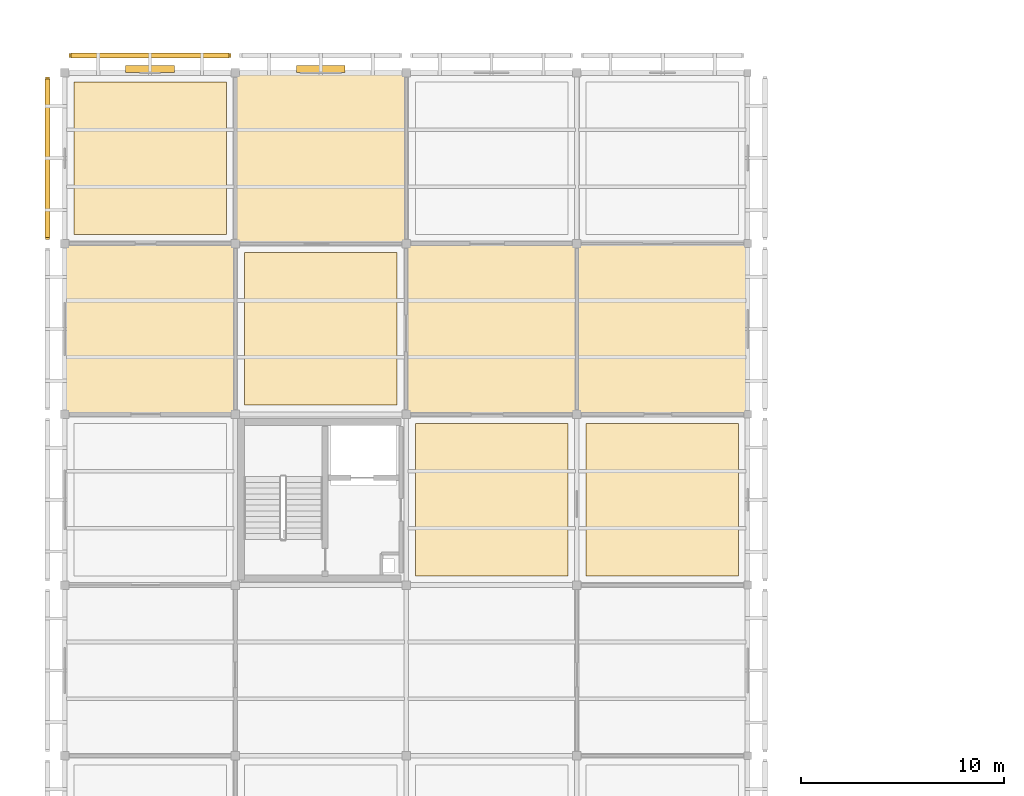
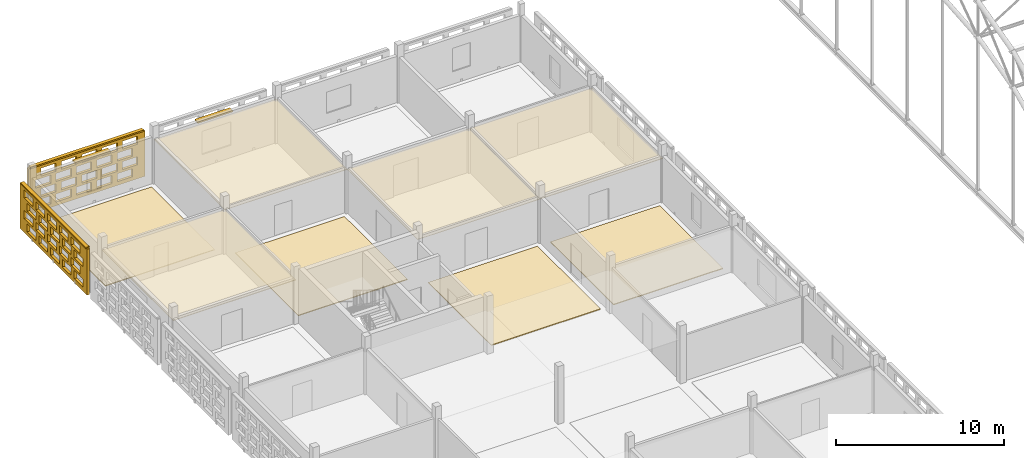
# One storey, part 93 of 103: 10 coverings, 4 shading devices, 40 openings.
"""IFC4 building model written with IfcOpenShell, lengths in metres."""

from ifc_helpers import new_model, si_unit, direction, frame, frame_2d, origin, origin_2d, place, context, subcontext, project, spatial, rectangle, extrude, material, layer, layer_set, type_object, element, save


model = new_model("IFC4")

# Units and contexts
model_context = context("Model", 3, precision=1e-05, world=origin(), true_north=direction((0.0, 1.0)))
body_context = subcontext(model_context, "Body", "Model", "MODEL_VIEW")
ifc_project = project(units=[si_unit("LENGTHUNIT", "METRE"), si_unit("AREAUNIT", "SQUARE_METRE"), si_unit("VOLUMEUNIT", "CUBIC_METRE"), si_unit("PLANEANGLEUNIT", "RADIAN"), si_unit("MASSUNIT", "GRAM", prefix="KILO")], contexts=[model_context])

# Site, building, storey
site_placement = place(None, origin())
site = spatial("IfcSite", under=ifc_project, at=site_placement, CompositionType="ELEMENT")
building_placement = place(site_placement, origin())
building = spatial("IfcBuilding", under=site, at=building_placement, Name="Varnapada Polytechnic", CompositionType="ELEMENT")
storey_placement = place(building_placement, frame((0.0, 0.0, 18.0)))
storey = spatial("IfcBuildingStorey", under=building, at=storey_placement, Name="L04", CompositionType="ELEMENT", Elevation=18.0)

# Coverings
ifc_material_1 = material(Name="Anti-Static Raised Laboratory Flooring")
ifc_layer_1 = layer(ifc_material_1, 0.06005859375)
ifc_layer_set_1 = layer_set([ifc_layer_1], Name="Anti-Static Raised Laboratory Flooring")
covering_type_1 = type_object("IfcCoveringType", Name="Floor Finish FLR-02", PredefinedType="FLOORING", material=ifc_layer_set_1)
for number, where, z_axis, x_axis, name in (
    (1, (21.0, 105.0, 0.0), (0.0, 0.0, 1.0), (1.0, 0.0, 0.0), "L04 floor finish panel (3,13)"),
    (2, (29.39990234375, 105.0, 0.0), (0.0, 0.0, 1.0), (1.0, 0.0, 0.0), "L04 floor finish panel (4,13)"),
):
    element("IfcCovering", number, at=place(storey_placement, frame(where, z_axis=z_axis, x_axis=x_axis)), inside=storey, type_object=covering_type_1, Name=name, PredefinedType="FLOORING", context=body_context, shape_type="SweptSolid", body=[
        extrude(rectangle(XDim=7.5, YDim=7.5, at=origin_2d()), origin(), (0.0, 0.0, 1.0), 0.06005859375),
    ])
ifc_material_2 = material(Name="End-Grain Timber Studio Block Flooring", Category="wood")
ifc_layer_2 = layer(ifc_material_2, 0.054931640625)
ifc_layer_set_2 = layer_set([ifc_layer_2], Name="End-Grain Timber Studio Block Flooring")
covering_type_2 = type_object("IfcCoveringType", Name="Floor Finish FLR-04", PredefinedType="FLOORING", material=ifc_layer_set_2)
for number, where, z_axis, x_axis, name in (
    (3, (4.199951171875, 121.800048828125, 0.0), (0.0, 0.0, 1.0), (1.0, 0.0, 0.0), "L04 floor finish panel (1,15)"),
    (4, (12.60009765625, 113.39990234375, 0.0), (0.0, 0.0, 1.0), (1.0, 0.0, 0.0), "L04 floor finish panel (2,14)"),
):
    element("IfcCovering", number, at=place(storey_placement, frame(where, z_axis=z_axis, x_axis=x_axis)), inside=storey, type_object=covering_type_2, Name=name, PredefinedType="FLOORING", context=body_context, shape_type="SweptSolid", body=[
        extrude(rectangle(XDim=7.5, YDim=7.5, at=origin_2d()), origin(), (0.0, 0.0, 1.0), 0.054931640625),
    ])

# Shading devices
ifc_material_3 = material(Name="Anodised aluminium", Category="aluminium")
ifc_layer_3 = layer(ifc_material_3, 0.35009765625)
ifc_layer_set_3 = layer_set([ifc_layer_3], Name="Anodised aluminium")
shading_device_type_1 = type_object("IfcShadingDeviceType", Name="Solar Louvre LVR-01", PredefinedType="JALOUSIE", material=ifc_layer_set_3)
for number, where, z_axis, x_axis, name in (
    (5, (4.199951171875, 126.179931640625, 3.159912109375), (0.0, 0.0, 1.0), (1.0, 0.0, 0.0), "L04 aluminium sun louvre 10"),
    (6, (12.60009765625, 126.179931640625, 3.159912109375), (0.0, 0.0, 1.0), (1.0, 0.0, 0.0), "L04 aluminium sun louvre 13"),
):
    element("IfcShadingDevice", number, at=place(storey_placement, frame(where, z_axis=z_axis, x_axis=x_axis)), inside=storey, type_object=shading_device_type_1, Name=name, PredefinedType="JALOUSIE", context=body_context, shape_type="SweptSolid", body=[
        extrude(rectangle(XDim=2.39990234375, YDim=0.340087890625, at=origin_2d()), origin(), (0.0, 0.0, 1.0), 0.1201171875),
    ])

# Coverings
ifc_material_4 = material(Name="Perforated Timber Slatted Baffle Ceiling", Category="wood")
ifc_layer_4 = layer(ifc_material_4, 0.050048828125)
ifc_layer_set_4 = layer_set([ifc_layer_4], Name="Perforated Timber Slatted Baffle Ceiling")
covering_type_3 = type_object("IfcCoveringType", Name="Suspended Ceiling CLG-02", PredefinedType="CEILING", material=ifc_layer_set_4)
covering_1_placement = place(storey_placement, frame((4.199951171875, 113.39990234375, 3.02490234375), z_axis=(0.0, 0.0, 1.0), x_axis=(1.0, 0.0, 0.0)))
element("IfcCovering", 7, at=covering_1_placement, inside=storey, type_object=covering_type_3, Name="L04 suspended acoustic ceiling (1,14)", PredefinedType="CEILING", context=body_context, shape_type="SweptSolid", body=[
    extrude(rectangle(XDim=8.419921875, YDim=8.419921875, at=origin_2d()), origin(), (0.0, 0.0, 1.0), 0.050048828125),
])
ifc_material_5 = material(Name="Moisture-Resistant Aluminum Baffle Ceiling", Category="aluminium")
ifc_layer_5 = layer(ifc_material_5, 0.030029296875)
ifc_layer_set_5 = layer_set([ifc_layer_5], Name="Moisture-Resistant Aluminum Baffle Ceiling")
covering_type_4 = type_object("IfcCoveringType", Name="Suspended Ceiling CLG-03", PredefinedType="CEILING", material=ifc_layer_set_5)
covering_2_placement = place(storey_placement, frame((12.60009765625, 121.800048828125, 3.03515625), z_axis=(0.0, 0.0, 1.0), x_axis=(1.0, 0.0, 0.0)))
element("IfcCovering", 8, at=covering_2_placement, inside=storey, type_object=covering_type_4, Name="L04 suspended acoustic ceiling (2,15)", PredefinedType="CEILING", context=body_context, shape_type="SweptSolid", body=[
    extrude(rectangle(XDim=8.419921875, YDim=8.419921875, at=origin_2d()), origin(), (0.0, 0.0, 1.0), 0.030029296875),
])
ifc_material_6 = material(Name="Micro-Perforated Gypsum Acoustic Ceiling")
ifc_layer_6 = layer(ifc_material_6, 0.044921875)
ifc_layer_set_6 = layer_set([ifc_layer_6], Name="Micro-Perforated Gypsum Acoustic Ceiling")
covering_type_5 = type_object("IfcCoveringType", Name="Suspended Ceiling CLG-04", PredefinedType="CEILING", material=ifc_layer_set_6)
covering_3_placement = place(storey_placement, frame((29.39990234375, 113.39990234375, 3.027587890625), z_axis=(0.0, 0.0, 1.0), x_axis=(1.0, 0.0, 0.0)))
element("IfcCovering", 9, at=covering_3_placement, inside=storey, type_object=covering_type_5, Name="L04 suspended acoustic ceiling (4,14)", PredefinedType="CEILING", context=body_context, shape_type="SweptSolid", body=[
    extrude(rectangle(XDim=8.419921875, YDim=8.419921875, at=origin_2d()), origin(), (0.0, 0.0, 1.0), 0.044921875),
])
ifc_material_7 = material(Name="Cleanroom Laboratory Metal Pan Ceiling")
ifc_layer_7 = layer(ifc_material_7, 0.034912109375)
ifc_layer_set_7 = layer_set([ifc_layer_7], Name="Cleanroom Laboratory Metal Pan Ceiling")
covering_type_6 = type_object("IfcCoveringType", Name="Suspended Ceiling CLG-06", PredefinedType="CEILING", material=ifc_layer_set_7)
covering_4_placement = place(storey_placement, frame((21.0, 113.39990234375, 3.03271484375), z_axis=(0.0, 0.0, 1.0), x_axis=(1.0, 0.0, 0.0)))
element("IfcCovering", 10, at=covering_4_placement, inside=storey, type_object=covering_type_6, Name="L04 suspended acoustic ceiling (3,14)", PredefinedType="CEILING", context=body_context, shape_type="SweptSolid", body=[
    extrude(rectangle(XDim=8.419921875, YDim=8.419921875, at=origin_2d()), origin(), (0.0, 0.0, 1.0), 0.034912109375),
])

# Covering, openings
ifc_material_8 = material(Name="Earth-toned architectural terracotta screen block", Category="masonry")
ifc_layer_8 = layer(ifc_material_8, 0.1201171875)
ifc_layer_set_8 = layer_set([ifc_layer_8], Name="Earth-toned architectural terracotta screen block")
covering_type_7 = type_object("IfcCoveringType", Name="Terracotta Screen Cladding CLD-01", PredefinedType="CLADDING", material=ifc_layer_set_8)
covering_5_placement = place(storey_placement, frame((0.2099609375, 126.85009765625, 0.0), z_axis=(0.0, 0.0, 1.0), x_axis=(1.0, 0.0, 0.0)))
covering_5 = element("IfcCovering", 11, at=covering_5_placement, inside=storey, type_object=covering_type_7, Name="L04 perforated terracotta block screen (10)", PredefinedType="CLADDING", context=body_context, shape_type="SweptSolid", body=[
    extrude(rectangle(XDim=7.97998046875, YDim=0.179931640625, at=frame_2d((3.989990234375, 0.0))), origin(), (0.0, 0.0, 1.0), 3.320068359375),
])
opening_1_placement = place(covering_5_placement, frame((0.489990234375, 0.0, 0.265625)))
element("IfcOpeningElement", 12, at=opening_1_placement, cuts=covering_5, Name="Screen perforation TBS-L04-009.1", PredefinedType="OPENING", context=body_context, shape_type="SweptSolid", body=[
    extrude(rectangle(XDim=1.0400390625, YDim=0.5810546875, at=frame_2d((0.52001953125, 0.29052734375))), frame((0.0, 0.099853515625, 0.0), z_axis=(0.0, -1.0, 0.0), x_axis=(1.0, 0.0, 0.0)), (0.0, 0.0, 1.0), 0.199951171875),
])
opening_2_placement = place(covering_5_placement, frame((1.889892578125, 0.0, 0.265625)))
element("IfcOpeningElement", 13, at=opening_2_placement, cuts=covering_5, Name="Screen perforation TBS-L04-009.2", PredefinedType="OPENING", context=body_context, shape_type="SweptSolid", body=[
    extrude(rectangle(XDim=1.0400390625, YDim=0.5810546875, at=frame_2d((0.52001953125, 0.29052734375))), frame((0.0, 0.099853515625, 0.0), z_axis=(0.0, -1.0, 0.0), x_axis=(1.0, 0.0, 0.0)), (0.0, 0.0, 1.0), 0.199951171875),
])
opening_3_placement = place(covering_5_placement, frame((3.2900390625, 0.0, 0.265625)))
element("IfcOpeningElement", 14, at=opening_3_placement, cuts=covering_5, Name="Screen perforation TBS-L04-009.3", PredefinedType="OPENING", context=body_context, shape_type="SweptSolid", body=[
    extrude(rectangle(XDim=1.0400390625, YDim=0.5810546875, at=frame_2d((0.52001953125, 0.29052734375))), frame((0.0, 0.099853515625, 0.0), z_axis=(0.0, -1.0, 0.0), x_axis=(1.0, 0.0, 0.0)), (0.0, 0.0, 1.0), 0.199951171875),
])
opening_4_placement = place(covering_5_placement, frame((4.68994140625, 0.0, 0.265625)))
element("IfcOpeningElement", 15, at=opening_4_placement, cuts=covering_5, Name="Screen perforation TBS-L04-009.4", PredefinedType="OPENING", context=body_context, shape_type="SweptSolid", body=[
    extrude(rectangle(XDim=1.0400390625, YDim=0.5810546875, at=frame_2d((0.52001953125, 0.29052734375))), frame((0.0, 0.099853515625, 0.0), z_axis=(0.0, -1.0, 0.0), x_axis=(1.0, 0.0, 0.0)), (0.0, 0.0, 1.0), 0.199951171875),
])
opening_5_placement = place(covering_5_placement, frame((6.090087890625, 0.0, 0.265625)))
element("IfcOpeningElement", 16, at=opening_5_placement, cuts=covering_5, Name="Screen perforation TBS-L04-009.5", PredefinedType="OPENING", context=body_context, shape_type="SweptSolid", body=[
    extrude(rectangle(XDim=1.0400390625, YDim=0.5810546875, at=frame_2d((0.52001953125, 0.29052734375))), frame((0.0, 0.099853515625, 0.0), z_axis=(0.0, -1.0, 0.0), x_axis=(1.0, 0.0, 0.0)), (0.0, 0.0, 1.0), 0.199951171875),
])
opening_6_placement = place(covering_5_placement, frame((0.85009765625, 0.0, 1.0126953125)))
element("IfcOpeningElement", 17, at=opening_6_placement, cuts=covering_5, Name="Screen perforation TBS-L04-009.6", PredefinedType="OPENING", context=body_context, shape_type="SweptSolid", body=[
    extrude(rectangle(XDim=1.0400390625, YDim=0.5810546875, at=frame_2d((0.52001953125, 0.29052734375))), frame((0.0, 0.099853515625, 0.0), z_axis=(0.0, -1.0, 0.0), x_axis=(1.0, 0.0, 0.0)), (0.0, 0.0, 1.0), 0.199951171875),
])
opening_7_placement = place(covering_5_placement, frame((2.25, 0.0, 1.0126953125)))
element("IfcOpeningElement", 18, at=opening_7_placement, cuts=covering_5, Name="Screen perforation TBS-L04-009.7", PredefinedType="OPENING", context=body_context, shape_type="SweptSolid", body=[
    extrude(rectangle(XDim=1.0400390625, YDim=0.5810546875, at=frame_2d((0.52001953125, 0.29052734375))), frame((0.0, 0.099853515625, 0.0), z_axis=(0.0, -1.0, 0.0), x_axis=(1.0, 0.0, 0.0)), (0.0, 0.0, 1.0), 0.199951171875),
])
opening_8_placement = place(covering_5_placement, frame((3.64990234375, 0.0, 1.0126953125)))
element("IfcOpeningElement", 19, at=opening_8_placement, cuts=covering_5, Name="Screen perforation TBS-L04-009.8", PredefinedType="OPENING", context=body_context, shape_type="SweptSolid", body=[
    extrude(rectangle(XDim=1.0400390625, YDim=0.5810546875, at=frame_2d((0.52001953125, 0.29052734375))), frame((0.0, 0.099853515625, 0.0), z_axis=(0.0, -1.0, 0.0), x_axis=(1.0, 0.0, 0.0)), (0.0, 0.0, 1.0), 0.199951171875),
])
opening_9_placement = place(covering_5_placement, frame((5.050048828125, 0.0, 1.0126953125)))
element("IfcOpeningElement", 20, at=opening_9_placement, cuts=covering_5, Name="Screen perforation TBS-L04-009.9", PredefinedType="OPENING", context=body_context, shape_type="SweptSolid", body=[
    extrude(rectangle(XDim=1.0400390625, YDim=0.5810546875, at=frame_2d((0.52001953125, 0.29052734375))), frame((0.0, 0.099853515625, 0.0), z_axis=(0.0, -1.0, 0.0), x_axis=(1.0, 0.0, 0.0)), (0.0, 0.0, 1.0), 0.199951171875),
])
opening_10_placement = place(covering_5_placement, frame((6.449951171875, 0.0, 1.0126953125)))
element("IfcOpeningElement", 21, at=opening_10_placement, cuts=covering_5, Name="Screen perforation TBS-L04-009.10", PredefinedType="OPENING", context=body_context, shape_type="SweptSolid", body=[
    extrude(rectangle(XDim=1.0400390625, YDim=0.5810546875, at=frame_2d((0.52001953125, 0.29052734375))), frame((0.0, 0.099853515625, 0.0), z_axis=(0.0, -1.0, 0.0), x_axis=(1.0, 0.0, 0.0)), (0.0, 0.0, 1.0), 0.199951171875),
])
opening_11_placement = place(covering_5_placement, frame((0.489990234375, 0.0, 1.759521484375)))
element("IfcOpeningElement", 22, at=opening_11_placement, cuts=covering_5, Name="Screen perforation TBS-L04-009.11", PredefinedType="OPENING", context=body_context, shape_type="SweptSolid", body=[
    extrude(rectangle(XDim=1.0400390625, YDim=0.5810546875, at=frame_2d((0.52001953125, 0.29052734375))), frame((0.0, 0.099853515625, 0.0), z_axis=(0.0, -1.0, 0.0), x_axis=(1.0, 0.0, 0.0)), (0.0, 0.0, 1.0), 0.199951171875),
])
opening_12_placement = place(covering_5_placement, frame((1.889892578125, 0.0, 1.759521484375)))
element("IfcOpeningElement", 23, at=opening_12_placement, cuts=covering_5, Name="Screen perforation TBS-L04-009.12", PredefinedType="OPENING", context=body_context, shape_type="SweptSolid", body=[
    extrude(rectangle(XDim=1.0400390625, YDim=0.5810546875, at=frame_2d((0.52001953125, 0.29052734375))), frame((0.0, 0.099853515625, 0.0), z_axis=(0.0, -1.0, 0.0), x_axis=(1.0, 0.0, 0.0)), (0.0, 0.0, 1.0), 0.199951171875),
])
opening_13_placement = place(covering_5_placement, frame((3.2900390625, 0.0, 1.759521484375)))
element("IfcOpeningElement", 24, at=opening_13_placement, cuts=covering_5, Name="Screen perforation TBS-L04-009.13", PredefinedType="OPENING", context=body_context, shape_type="SweptSolid", body=[
    extrude(rectangle(XDim=1.0400390625, YDim=0.5810546875, at=frame_2d((0.52001953125, 0.29052734375))), frame((0.0, 0.099853515625, 0.0), z_axis=(0.0, -1.0, 0.0), x_axis=(1.0, 0.0, 0.0)), (0.0, 0.0, 1.0), 0.199951171875),
])
opening_14_placement = place(covering_5_placement, frame((4.68994140625, 0.0, 1.759521484375)))
element("IfcOpeningElement", 25, at=opening_14_placement, cuts=covering_5, Name="Screen perforation TBS-L04-009.14", PredefinedType="OPENING", context=body_context, shape_type="SweptSolid", body=[
    extrude(rectangle(XDim=1.0400390625, YDim=0.5810546875, at=frame_2d((0.52001953125, 0.29052734375))), frame((0.0, 0.099853515625, 0.0), z_axis=(0.0, -1.0, 0.0), x_axis=(1.0, 0.0, 0.0)), (0.0, 0.0, 1.0), 0.199951171875),
])
opening_15_placement = place(covering_5_placement, frame((6.090087890625, 0.0, 1.759521484375)))
element("IfcOpeningElement", 26, at=opening_15_placement, cuts=covering_5, Name="Screen perforation TBS-L04-009.15", PredefinedType="OPENING", context=body_context, shape_type="SweptSolid", body=[
    extrude(rectangle(XDim=1.0400390625, YDim=0.5810546875, at=frame_2d((0.52001953125, 0.29052734375))), frame((0.0, 0.099853515625, 0.0), z_axis=(0.0, -1.0, 0.0), x_axis=(1.0, 0.0, 0.0)), (0.0, 0.0, 1.0), 0.199951171875),
])
opening_16_placement = place(covering_5_placement, frame((0.85009765625, 0.0, 2.506591796875)))
element("IfcOpeningElement", 27, at=opening_16_placement, cuts=covering_5, Name="Screen perforation TBS-L04-009.16", PredefinedType="OPENING", context=body_context, shape_type="SweptSolid", body=[
    extrude(rectangle(XDim=1.0400390625, YDim=0.5810546875, at=frame_2d((0.52001953125, 0.29052734375))), frame((0.0, 0.099853515625, 0.0), z_axis=(0.0, -1.0, 0.0), x_axis=(1.0, 0.0, 0.0)), (0.0, 0.0, 1.0), 0.199951171875),
])
opening_17_placement = place(covering_5_placement, frame((2.25, 0.0, 2.506591796875)))
element("IfcOpeningElement", 28, at=opening_17_placement, cuts=covering_5, Name="Screen perforation TBS-L04-009.17", PredefinedType="OPENING", context=body_context, shape_type="SweptSolid", body=[
    extrude(rectangle(XDim=1.0400390625, YDim=0.5810546875, at=frame_2d((0.52001953125, 0.29052734375))), frame((0.0, 0.099853515625, 0.0), z_axis=(0.0, -1.0, 0.0), x_axis=(1.0, 0.0, 0.0)), (0.0, 0.0, 1.0), 0.199951171875),
])
opening_18_placement = place(covering_5_placement, frame((3.64990234375, 0.0, 2.506591796875)))
element("IfcOpeningElement", 29, at=opening_18_placement, cuts=covering_5, Name="Screen perforation TBS-L04-009.18", PredefinedType="OPENING", context=body_context, shape_type="SweptSolid", body=[
    extrude(rectangle(XDim=1.0400390625, YDim=0.5810546875, at=frame_2d((0.52001953125, 0.29052734375))), frame((0.0, 0.099853515625, 0.0), z_axis=(0.0, -1.0, 0.0), x_axis=(1.0, 0.0, 0.0)), (0.0, 0.0, 1.0), 0.199951171875),
])
opening_19_placement = place(covering_5_placement, frame((5.050048828125, 0.0, 2.506591796875)))
element("IfcOpeningElement", 30, at=opening_19_placement, cuts=covering_5, Name="Screen perforation TBS-L04-009.19", PredefinedType="OPENING", context=body_context, shape_type="SweptSolid", body=[
    extrude(rectangle(XDim=1.0400390625, YDim=0.5810546875, at=frame_2d((0.52001953125, 0.29052734375))), frame((0.0, 0.099853515625, 0.0), z_axis=(0.0, -1.0, 0.0), x_axis=(1.0, 0.0, 0.0)), (0.0, 0.0, 1.0), 0.199951171875),
])
opening_20_placement = place(covering_5_placement, frame((6.449951171875, 0.0, 2.506591796875)))
element("IfcOpeningElement", 31, at=opening_20_placement, cuts=covering_5, Name="Screen perforation TBS-L04-009.20", PredefinedType="OPENING", context=body_context, shape_type="SweptSolid", body=[
    extrude(rectangle(XDim=1.0400390625, YDim=0.5810546875, at=frame_2d((0.52001953125, 0.29052734375))), frame((0.0, 0.099853515625, 0.0), z_axis=(0.0, -1.0, 0.0), x_axis=(1.0, 0.0, 0.0)), (0.0, 0.0, 1.0), 0.199951171875),
])

covering_6_placement = place(storey_placement, frame((-0.85009765625, 117.81005859375, 0.0), z_axis=(0.0, 0.0, 1.0), x_axis=(0.0, 1.0, 0.0)))
covering_6 = element("IfcCovering", 32, at=covering_6_placement, inside=storey, type_object=covering_type_7, Name="L04 perforated terracotta block screen (11)", PredefinedType="CLADDING", context=body_context, shape_type="SweptSolid", body=[
    extrude(rectangle(XDim=7.97998046875, YDim=0.179931640625, at=frame_2d((3.989990234375, 0.0))), origin(), (0.0, 0.0, 1.0), 3.320068359375),
])
opening_21_placement = place(covering_6_placement, frame((0.489990234375, 0.0, 0.265625)))
element("IfcOpeningElement", 33, at=opening_21_placement, cuts=covering_6, Name="Screen perforation TBS-L04-010.1", PredefinedType="OPENING", context=body_context, shape_type="SweptSolid", body=[
    extrude(rectangle(XDim=1.0400390625, YDim=0.5810546875, at=frame_2d((0.52001953125, 0.29052734375))), frame((0.0, 0.099853515625, 0.0), z_axis=(0.0, -1.0, 0.0), x_axis=(1.0, 0.0, 0.0)), (0.0, 0.0, 1.0), 0.199951171875),
])
opening_22_placement = place(covering_6_placement, frame((1.889892578125, 0.0, 0.265625)))
element("IfcOpeningElement", 34, at=opening_22_placement, cuts=covering_6, Name="Screen perforation TBS-L04-010.2", PredefinedType="OPENING", context=body_context, shape_type="SweptSolid", body=[
    extrude(rectangle(XDim=1.0400390625, YDim=0.5810546875, at=frame_2d((0.52001953125, 0.29052734375))), frame((0.0, 0.099853515625, 0.0), z_axis=(0.0, -1.0, 0.0), x_axis=(1.0, 0.0, 0.0)), (0.0, 0.0, 1.0), 0.199951171875),
])
opening_23_placement = place(covering_6_placement, frame((3.2900390625, 0.0, 0.265625)))
element("IfcOpeningElement", 35, at=opening_23_placement, cuts=covering_6, Name="Screen perforation TBS-L04-010.3", PredefinedType="OPENING", context=body_context, shape_type="SweptSolid", body=[
    extrude(rectangle(XDim=1.0400390625, YDim=0.5810546875, at=frame_2d((0.52001953125, 0.29052734375))), frame((0.0, 0.099853515625, 0.0), z_axis=(0.0, -1.0, 0.0), x_axis=(1.0, 0.0, 0.0)), (0.0, 0.0, 1.0), 0.199951171875),
])
opening_24_placement = place(covering_6_placement, frame((4.68994140625, 0.0, 0.265625)))
element("IfcOpeningElement", 36, at=opening_24_placement, cuts=covering_6, Name="Screen perforation TBS-L04-010.4", PredefinedType="OPENING", context=body_context, shape_type="SweptSolid", body=[
    extrude(rectangle(XDim=1.0400390625, YDim=0.5810546875, at=frame_2d((0.52001953125, 0.29052734375))), frame((0.0, 0.099853515625, 0.0), z_axis=(0.0, -1.0, 0.0), x_axis=(1.0, 0.0, 0.0)), (0.0, 0.0, 1.0), 0.199951171875),
])
opening_25_placement = place(covering_6_placement, frame((6.090087890625, 0.0, 0.265625)))
element("IfcOpeningElement", 37, at=opening_25_placement, cuts=covering_6, Name="Screen perforation TBS-L04-010.5", PredefinedType="OPENING", context=body_context, shape_type="SweptSolid", body=[
    extrude(rectangle(XDim=1.0400390625, YDim=0.5810546875, at=frame_2d((0.52001953125, 0.29052734375))), frame((0.0, 0.099853515625, 0.0), z_axis=(0.0, -1.0, 0.0), x_axis=(1.0, 0.0, 0.0)), (0.0, 0.0, 1.0), 0.199951171875),
])
opening_26_placement = place(covering_6_placement, frame((0.85009765625, 0.0, 1.0126953125)))
element("IfcOpeningElement", 38, at=opening_26_placement, cuts=covering_6, Name="Screen perforation TBS-L04-010.6", PredefinedType="OPENING", context=body_context, shape_type="SweptSolid", body=[
    extrude(rectangle(XDim=1.0400390625, YDim=0.5810546875, at=frame_2d((0.52001953125, 0.29052734375))), frame((0.0, 0.099853515625, 0.0), z_axis=(0.0, -1.0, 0.0), x_axis=(1.0, 0.0, 0.0)), (0.0, 0.0, 1.0), 0.199951171875),
])
opening_27_placement = place(covering_6_placement, frame((2.25, 0.0, 1.0126953125)))
element("IfcOpeningElement", 39, at=opening_27_placement, cuts=covering_6, Name="Screen perforation TBS-L04-010.7", PredefinedType="OPENING", context=body_context, shape_type="SweptSolid", body=[
    extrude(rectangle(XDim=1.0400390625, YDim=0.5810546875, at=frame_2d((0.52001953125, 0.29052734375))), frame((0.0, 0.099853515625, 0.0), z_axis=(0.0, -1.0, 0.0), x_axis=(1.0, 0.0, 0.0)), (0.0, 0.0, 1.0), 0.199951171875),
])
opening_28_placement = place(covering_6_placement, frame((3.64990234375, 0.0, 1.0126953125)))
element("IfcOpeningElement", 40, at=opening_28_placement, cuts=covering_6, Name="Screen perforation TBS-L04-010.8", PredefinedType="OPENING", context=body_context, shape_type="SweptSolid", body=[
    extrude(rectangle(XDim=1.0400390625, YDim=0.5810546875, at=frame_2d((0.52001953125, 0.29052734375))), frame((0.0, 0.099853515625, 0.0), z_axis=(0.0, -1.0, 0.0), x_axis=(1.0, 0.0, 0.0)), (0.0, 0.0, 1.0), 0.199951171875),
])
opening_29_placement = place(covering_6_placement, frame((5.050048828125, 0.0, 1.0126953125)))
element("IfcOpeningElement", 41, at=opening_29_placement, cuts=covering_6, Name="Screen perforation TBS-L04-010.9", PredefinedType="OPENING", context=body_context, shape_type="SweptSolid", body=[
    extrude(rectangle(XDim=1.0400390625, YDim=0.5810546875, at=frame_2d((0.52001953125, 0.29052734375))), frame((0.0, 0.099853515625, 0.0), z_axis=(0.0, -1.0, 0.0), x_axis=(1.0, 0.0, 0.0)), (0.0, 0.0, 1.0), 0.199951171875),
])
opening_30_placement = place(covering_6_placement, frame((6.449951171875, 0.0, 1.0126953125)))
element("IfcOpeningElement", 42, at=opening_30_placement, cuts=covering_6, Name="Screen perforation TBS-L04-010.10", PredefinedType="OPENING", context=body_context, shape_type="SweptSolid", body=[
    extrude(rectangle(XDim=1.0400390625, YDim=0.5810546875, at=frame_2d((0.52001953125, 0.29052734375))), frame((0.0, 0.099853515625, 0.0), z_axis=(0.0, -1.0, 0.0), x_axis=(1.0, 0.0, 0.0)), (0.0, 0.0, 1.0), 0.199951171875),
])
opening_31_placement = place(covering_6_placement, frame((0.489990234375, 0.0, 1.759521484375)))
element("IfcOpeningElement", 43, at=opening_31_placement, cuts=covering_6, Name="Screen perforation TBS-L04-010.11", PredefinedType="OPENING", context=body_context, shape_type="SweptSolid", body=[
    extrude(rectangle(XDim=1.0400390625, YDim=0.5810546875, at=frame_2d((0.52001953125, 0.29052734375))), frame((0.0, 0.099853515625, 0.0), z_axis=(0.0, -1.0, 0.0), x_axis=(1.0, 0.0, 0.0)), (0.0, 0.0, 1.0), 0.199951171875),
])
opening_32_placement = place(covering_6_placement, frame((1.889892578125, 0.0, 1.759521484375)))
element("IfcOpeningElement", 44, at=opening_32_placement, cuts=covering_6, Name="Screen perforation TBS-L04-010.12", PredefinedType="OPENING", context=body_context, shape_type="SweptSolid", body=[
    extrude(rectangle(XDim=1.0400390625, YDim=0.5810546875, at=frame_2d((0.52001953125, 0.29052734375))), frame((0.0, 0.099853515625, 0.0), z_axis=(0.0, -1.0, 0.0), x_axis=(1.0, 0.0, 0.0)), (0.0, 0.0, 1.0), 0.199951171875),
])
opening_33_placement = place(covering_6_placement, frame((3.2900390625, 0.0, 1.759521484375)))
element("IfcOpeningElement", 45, at=opening_33_placement, cuts=covering_6, Name="Screen perforation TBS-L04-010.13", PredefinedType="OPENING", context=body_context, shape_type="SweptSolid", body=[
    extrude(rectangle(XDim=1.0400390625, YDim=0.5810546875, at=frame_2d((0.52001953125, 0.29052734375))), frame((0.0, 0.099853515625, 0.0), z_axis=(0.0, -1.0, 0.0), x_axis=(1.0, 0.0, 0.0)), (0.0, 0.0, 1.0), 0.199951171875),
])
opening_34_placement = place(covering_6_placement, frame((4.68994140625, 0.0, 1.759521484375)))
element("IfcOpeningElement", 46, at=opening_34_placement, cuts=covering_6, Name="Screen perforation TBS-L04-010.14", PredefinedType="OPENING", context=body_context, shape_type="SweptSolid", body=[
    extrude(rectangle(XDim=1.0400390625, YDim=0.5810546875, at=frame_2d((0.52001953125, 0.29052734375))), frame((0.0, 0.099853515625, 0.0), z_axis=(0.0, -1.0, 0.0), x_axis=(1.0, 0.0, 0.0)), (0.0, 0.0, 1.0), 0.199951171875),
])
opening_35_placement = place(covering_6_placement, frame((6.090087890625, 0.0, 1.759521484375)))
element("IfcOpeningElement", 47, at=opening_35_placement, cuts=covering_6, Name="Screen perforation TBS-L04-010.15", PredefinedType="OPENING", context=body_context, shape_type="SweptSolid", body=[
    extrude(rectangle(XDim=1.0400390625, YDim=0.5810546875, at=frame_2d((0.52001953125, 0.29052734375))), frame((0.0, 0.099853515625, 0.0), z_axis=(0.0, -1.0, 0.0), x_axis=(1.0, 0.0, 0.0)), (0.0, 0.0, 1.0), 0.199951171875),
])
opening_36_placement = place(covering_6_placement, frame((0.85009765625, 0.0, 2.506591796875)))
element("IfcOpeningElement", 48, at=opening_36_placement, cuts=covering_6, Name="Screen perforation TBS-L04-010.16", PredefinedType="OPENING", context=body_context, shape_type="SweptSolid", body=[
    extrude(rectangle(XDim=1.0400390625, YDim=0.5810546875, at=frame_2d((0.52001953125, 0.29052734375))), frame((0.0, 0.099853515625, 0.0), z_axis=(0.0, -1.0, 0.0), x_axis=(1.0, 0.0, 0.0)), (0.0, 0.0, 1.0), 0.199951171875),
])
opening_37_placement = place(covering_6_placement, frame((2.25, 0.0, 2.506591796875)))
element("IfcOpeningElement", 49, at=opening_37_placement, cuts=covering_6, Name="Screen perforation TBS-L04-010.17", PredefinedType="OPENING", context=body_context, shape_type="SweptSolid", body=[
    extrude(rectangle(XDim=1.0400390625, YDim=0.5810546875, at=frame_2d((0.52001953125, 0.29052734375))), frame((0.0, 0.099853515625, 0.0), z_axis=(0.0, -1.0, 0.0), x_axis=(1.0, 0.0, 0.0)), (0.0, 0.0, 1.0), 0.199951171875),
])
opening_38_placement = place(covering_6_placement, frame((3.64990234375, 0.0, 2.506591796875)))
element("IfcOpeningElement", 50, at=opening_38_placement, cuts=covering_6, Name="Screen perforation TBS-L04-010.18", PredefinedType="OPENING", context=body_context, shape_type="SweptSolid", body=[
    extrude(rectangle(XDim=1.0400390625, YDim=0.5810546875, at=frame_2d((0.52001953125, 0.29052734375))), frame((0.0, 0.099853515625, 0.0), z_axis=(0.0, -1.0, 0.0), x_axis=(1.0, 0.0, 0.0)), (0.0, 0.0, 1.0), 0.199951171875),
])
opening_39_placement = place(covering_6_placement, frame((5.050048828125, 0.0, 2.506591796875)))
element("IfcOpeningElement", 51, at=opening_39_placement, cuts=covering_6, Name="Screen perforation TBS-L04-010.19", PredefinedType="OPENING", context=body_context, shape_type="SweptSolid", body=[
    extrude(rectangle(XDim=1.0400390625, YDim=0.5810546875, at=frame_2d((0.52001953125, 0.29052734375))), frame((0.0, 0.099853515625, 0.0), z_axis=(0.0, -1.0, 0.0), x_axis=(1.0, 0.0, 0.0)), (0.0, 0.0, 1.0), 0.199951171875),
])
opening_40_placement = place(covering_6_placement, frame((6.449951171875, 0.0, 2.506591796875)))
element("IfcOpeningElement", 52, at=opening_40_placement, cuts=covering_6, Name="Screen perforation TBS-L04-010.20", PredefinedType="OPENING", context=body_context, shape_type="SweptSolid", body=[
    extrude(rectangle(XDim=1.0400390625, YDim=0.5810546875, at=frame_2d((0.52001953125, 0.29052734375))), frame((0.0, 0.099853515625, 0.0), z_axis=(0.0, -1.0, 0.0), x_axis=(1.0, 0.0, 0.0)), (0.0, 0.0, 1.0), 0.199951171875),
])

# Shading devices
ifc_layer_9 = layer(ifc_material_8, 0.179931640625)
ifc_layer_set_9 = layer_set([ifc_layer_9], Name="Earth-toned architectural terracotta screen block")
shading_device_type_2 = type_object("IfcShadingDeviceType", Name="Terracotta Screen SCR-01", PredefinedType="USERDEFINED", material=ifc_layer_set_9)
for number, where, z_axis, x_axis, name in (
    (53, (4.199951171875, 126.85009765625, 3.31005859375), (0.0, 0.0, 1.0), (1.0, 0.0, 0.0), "L04 perforated terracotta screen hood 432"),
    (54, (-0.85009765625, 121.800048828125, 3.31005859375), (0.0, 0.0, 1.0), (0.0, 1.0, 0.0), "L04 perforated terracotta screen hood 433"),
):
    element("IfcShadingDevice", number, at=place(storey_placement, frame(where, z_axis=z_axis, x_axis=x_axis)), inside=storey, type_object=shading_device_type_2, Name=name, ObjectType="SCREEN", PredefinedType="USERDEFINED", context=body_context, shape_type="SweptSolid", body=[
        extrude(rectangle(XDim=7.780029296875, YDim=0.239990234375, at=origin_2d()), origin(), (0.0, 0.0, 1.0), 0.10009765625),
    ])

save(model, "model.ifc")
